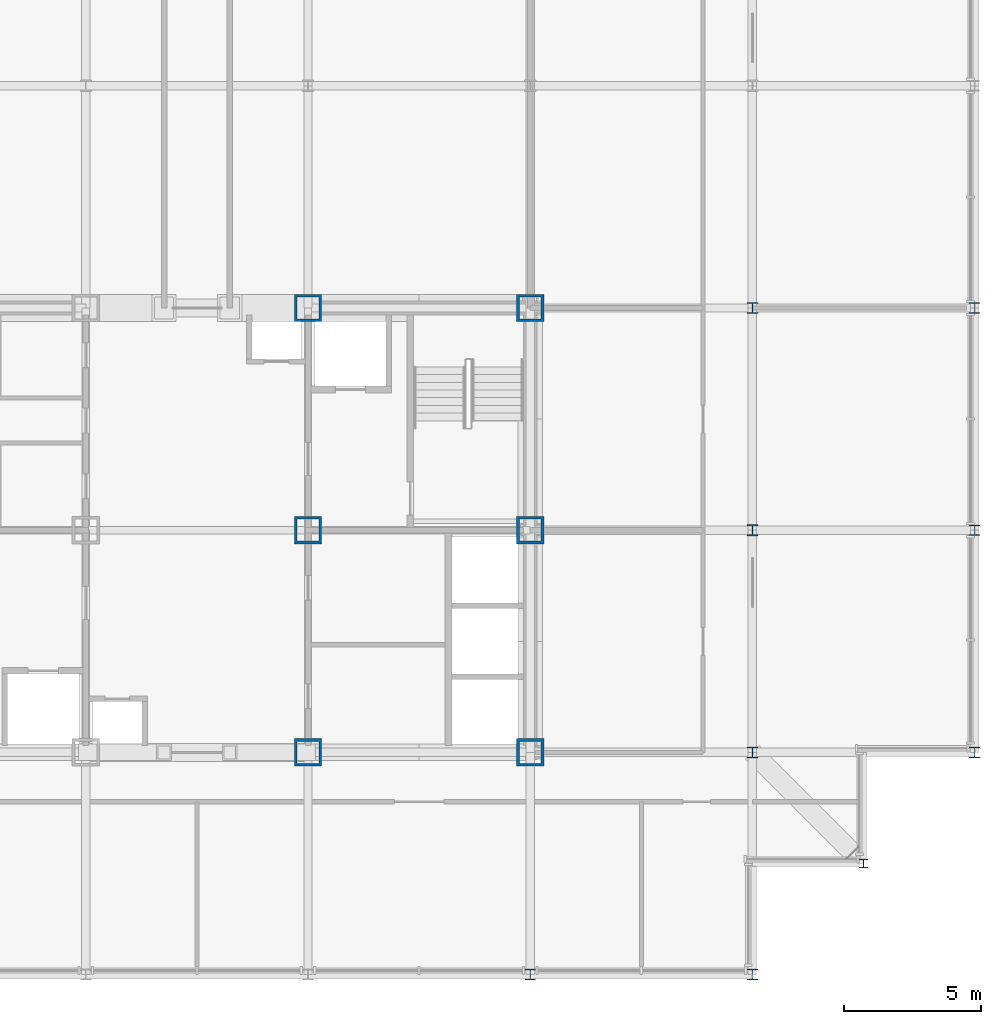
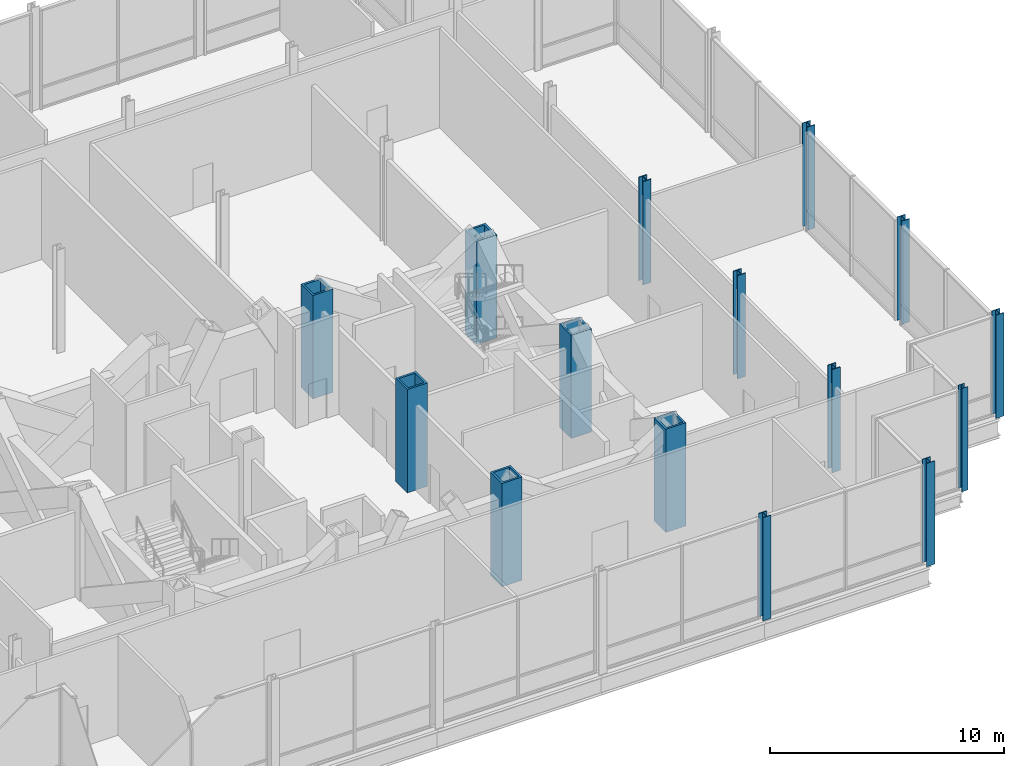
# One storey, part 2 of 21: 15 columns.
"""IFC4 building model written with IfcOpenShell, lengths in metres."""

from ifc_helpers import new_model, si_unit, direction, frame, origin, origin_2d, place, context, subcontext, project, spatial, hollow_rectangle, i_section, extrude, material, material_profile, profile_set, type_object, element, save


model = new_model("IFC4")

# Units and contexts
model_context = context("Model", 3, precision=1e-05, world=origin(), true_north=direction((0.0, 1.0)))
body_context = subcontext(model_context, "Body", "Model", "MODEL_VIEW")
ifc_project = project(units=[si_unit("LENGTHUNIT", "METRE"), si_unit("AREAUNIT", "SQUARE_METRE"), si_unit("VOLUMEUNIT", "CUBIC_METRE"), si_unit("PLANEANGLEUNIT", "RADIAN"), si_unit("MASSUNIT", "GRAM", prefix="KILO")], contexts=[model_context])

# Site, building, storey
site_placement = place(None, origin())
site = spatial("IfcSite", under=ifc_project, at=site_placement, CompositionType="ELEMENT")
building_placement = place(site_placement, origin())
building = spatial("IfcBuilding", under=site, at=building_placement, Name="Kopane Lantern Tower", CompositionType="ELEMENT")
storey_placement = place(building_placement, frame((0.0, 0.0, 298.5)))
storey = spatial("IfcBuildingStorey", under=building, at=storey_placement, Name="L76", CompositionType="ELEMENT", Elevation=298.5)

# Columns
ifc_material_1 = material(Name="Steel S355JR", Category="steel")
ifc_material_profile_1 = material_profile(ifc_material_1, hollow_rectangle(XDim=1.0, YDim=1.0, WallThickness=0.10009765625, at=origin_2d()), Name="BOX 1000x1000x100")
ifc_profile_set_1 = profile_set([ifc_material_profile_1], Name="Steel S355JR")
column_type_1 = type_object("IfcColumnType", Name="COLUMN BOX 1000x1000x100", PredefinedType="COLUMN", material=ifc_profile_set_1)
for number, where, z_axis, x_axis, name in (
    (1, (32.39990234375, 24.300048828125, 0.0), (0.0, 0.0, 1.0), (1.0, 0.0, 0.0), "Column 6/E L76"),
    (2, (32.39990234375, 32.39990234375, 0.0), (0.0, 0.0, 1.0), (1.0, 0.0, 0.0), "Column 6/F L76"),
    (3, (32.39990234375, 40.5, 0.0), (0.0, 0.0, 1.0), (1.0, 0.0, 0.0), "Column 6/G L76"),
    (4, (40.5, 24.300048828125, 0.0), (0.0, 0.0, 1.0), (1.0, 0.0, 0.0), "Column 7/E L76"),
    (5, (40.5, 32.39990234375, 0.0), (0.0, 0.0, 1.0), (1.0, 0.0, 0.0), "Column 7/F L76"),
    (6, (40.5, 40.5, 0.0), (0.0, 0.0, 1.0), (1.0, 0.0, 0.0), "Column 7/G L76"),
):
    element("IfcColumn", number, at=place(storey_placement, frame(where, z_axis=z_axis, x_axis=x_axis)), inside=storey, type_object=column_type_1, Name=name, PredefinedType="COLUMN", context=body_context, shape_type="SweptSolid", body=[
        extrude(hollow_rectangle(XDim=1.0, YDim=1.0, WallThickness=0.10009765625, at=origin_2d()), origin(), (0.0, 0.0, 1.0), 5.39990234375),
    ])
ifc_material_2 = material(Name="Steel S355JR", Category="steel")
ifc_material_profile_2 = material_profile(ifc_material_2, i_section(OverallWidth=0.307373046875, OverallDepth=0.314453125, WebThickness=0.011962890625, FlangeThickness=0.018798828125, FilletRadius=0.01513671875, at=origin_2d()), Name="UC 305x305x118")
ifc_profile_set_2 = profile_set([ifc_material_profile_2], Name="Steel S355JR")
column_type_2 = type_object("IfcColumnType", Name="COLUMN UC 305x305x118", PredefinedType="COLUMN", material=ifc_profile_set_2)
column_placement = place(storey_placement, frame((52.64990234375, 20.25, 0.0), z_axis=(0.0, 0.0, 1.0), x_axis=(1.0, 0.0, 0.0)))
element("IfcColumn", 7, at=column_placement, inside=storey, type_object=column_type_2, Name="Column 52.65/20.25 L76", PredefinedType="COLUMN", context=body_context, shape_type="SweptSolid", body=[
    extrude(i_section(OverallWidth=0.307373046875, OverallDepth=0.314453125, WebThickness=0.011962890625, FlangeThickness=0.018798828125, FilletRadius=0.01513671875, at=origin_2d()), origin(), (0.0, 0.0, 1.0), 5.39990234375),
])
ifc_material_3 = material(Name="Steel S355JR", Category="steel")
ifc_material_profile_3 = material_profile(ifc_material_3, i_section(OverallWidth=0.39892578125, OverallDepth=0.3935546875, WebThickness=0.022705078125, FlangeThickness=0.03662109375, FilletRadius=0.01513671875, at=origin_2d()), Name="UC 356x406x287")
ifc_profile_set_3 = profile_set([ifc_material_profile_3], Name="Steel S355JR")
column_type_3 = type_object("IfcColumnType", Name="COLUMN UC 356x406x287", PredefinedType="COLUMN", material=ifc_profile_set_3)
for number, where, z_axis, x_axis, name in (
    (8, (40.5, 16.199951171875, 0.0), (0.0, 0.0, 1.0), (1.0, 0.0, 0.0), "Column 7/D L76"),
    (9, (48.60009765625, 16.199951171875, 0.0), (0.0, 0.0, 1.0), (1.0, 0.0, 0.0), "Column 8/D L76"),
    (10, (56.699951171875, 24.300048828125, 0.0), (0.0, 0.0, 1.0), (1.0, 0.0, 0.0), "Column 9/E L76"),
    (11, (56.699951171875, 32.39990234375, 0.0), (0.0, 0.0, 1.0), (1.0, 0.0, 0.0), "Column 9/F L76"),
    (12, (56.699951171875, 40.5, 0.0), (0.0, 0.0, 1.0), (1.0, 0.0, 0.0), "Column 9/G L76"),
):
    element("IfcColumn", number, at=place(storey_placement, frame(where, z_axis=z_axis, x_axis=x_axis)), inside=storey, type_object=column_type_3, Name=name, PredefinedType="COLUMN", context=body_context, shape_type="SweptSolid", body=[
        extrude(i_section(OverallWidth=0.39892578125, OverallDepth=0.3935546875, WebThickness=0.022705078125, FlangeThickness=0.03662109375, FilletRadius=0.01513671875, at=origin_2d()), origin(), (0.0, 0.0, 1.0), 5.39990234375),
    ])
ifc_material_4 = material(Name="Steel S355JR", Category="steel")
ifc_material_profile_4 = material_profile(ifc_material_4, i_section(OverallWidth=0.403076171875, OverallDepth=0.406494140625, WebThickness=0.026611328125, FlangeThickness=0.04296875, FilletRadius=0.01513671875, at=origin_2d()), Name="UC 356x406x340")
ifc_profile_set_4 = profile_set([ifc_material_profile_4], Name="Steel S355JR")
column_type_4 = type_object("IfcColumnType", Name="COLUMN UC 356x406x340", PredefinedType="COLUMN", material=ifc_profile_set_4)
for number, where, z_axis, x_axis, name in (
    (13, (48.60009765625, 24.300048828125, 0.0), (0.0, 0.0, 1.0), (1.0, 0.0, 0.0), "Column 8/E L76"),
    (14, (48.60009765625, 32.39990234375, 0.0), (0.0, 0.0, 1.0), (1.0, 0.0, 0.0), "Column 8/F L76"),
    (15, (48.60009765625, 40.5, 0.0), (0.0, 0.0, 1.0), (1.0, 0.0, 0.0), "Column 8/G L76"),
):
    element("IfcColumn", number, at=place(storey_placement, frame(where, z_axis=z_axis, x_axis=x_axis)), inside=storey, type_object=column_type_4, Name=name, PredefinedType="COLUMN", context=body_context, shape_type="SweptSolid", body=[
        extrude(i_section(OverallWidth=0.403076171875, OverallDepth=0.406494140625, WebThickness=0.026611328125, FlangeThickness=0.04296875, FilletRadius=0.01513671875, at=origin_2d()), origin(), (0.0, 0.0, 1.0), 5.39990234375),
    ])

save(model, "model.ifc")
